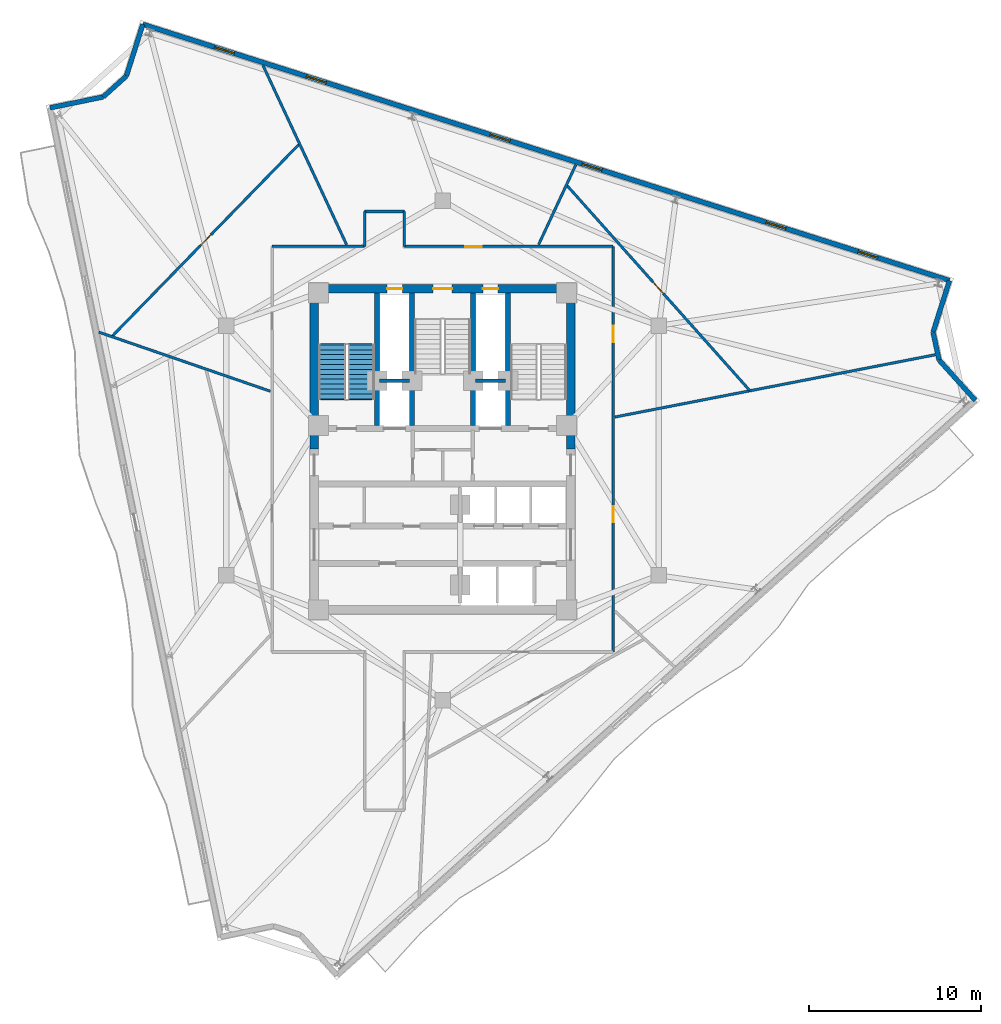
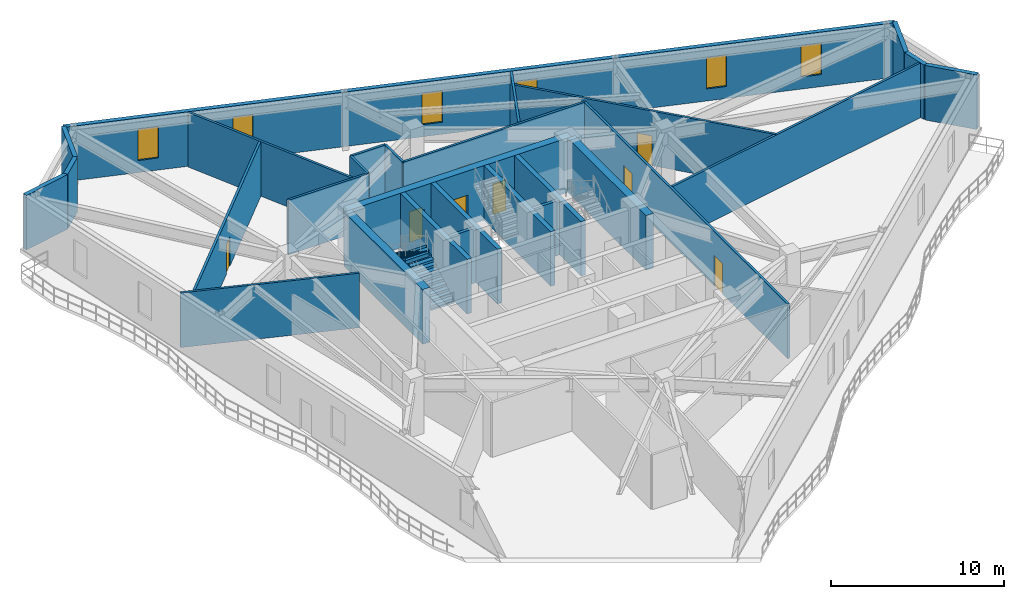
# One storey, part 7 of 11: 28 walls, 8 doors, 6 windows, 2 stair flights, 14 openings, 1 element without a shape of its own.
"""IFC4 building model written with IfcOpenShell, lengths in metres."""

from ifc_helpers import new_model, si_unit, direction, frame, frame_2d, origin, place, context, subcontext, project, spatial, polyline, rectangle, outline, extrude, material, layer, layer_set, type_object, element, fill, aggregate, save


model = new_model("IFC4")

# Units and contexts
model_context = context("Model", 3, precision=1e-05, world=origin(), true_north=direction((0.0, 1.0)))
body_context = subcontext(model_context, "Body", "Model", "MODEL_VIEW")
ifc_project = project(units=[si_unit("LENGTHUNIT", "METRE"), si_unit("AREAUNIT", "SQUARE_METRE"), si_unit("VOLUMEUNIT", "CUBIC_METRE"), si_unit("PLANEANGLEUNIT", "RADIAN"), si_unit("MASSUNIT", "GRAM", prefix="KILO")], contexts=[model_context])

# Site, building, storey
site_placement = place(None, origin())
site = spatial("IfcSite", under=ifc_project, at=site_placement, CompositionType="ELEMENT")
building_placement = place(site_placement, origin())
building = spatial("IfcBuilding", under=site, at=building_placement, Name="Apsidion Concourse Tower", CompositionType="ELEMENT")
storey_placement = place(building_placement, frame((0.0, 0.0, 244.5)))
storey = spatial("IfcBuildingStorey", under=building, at=storey_placement, Name="L57", CompositionType="ELEMENT", Elevation=244.5)

# Wall, openings, windows
ifc_material_1 = material(Name="Precast concrete C40/50", Category="concrete")
ifc_layer_1 = layer(ifc_material_1, 0.280029296875)
ifc_layer_set_1 = layer_set([ifc_layer_1], Name="Precast concrete C40/50")
wall_type_1 = type_object("IfcWallType", Name="WL-EXT-280", PredefinedType="STANDARD", material=ifc_layer_set_1)
wall_1_placement = place(storey_placement, frame((-17.4072265625, 24.74755859375, 0.0), z_axis=(0.0, 0.0, 1.0), x_axis=(0.953082756031, -0.302709861346, 0.0)))
wall_1 = element("IfcWall", 1, at=wall_1_placement, inside=storey, type_object=wall_type_1, Name="L57 Precast Stone Facade Wall 01", PredefinedType="STANDARD", context=body_context, shape_type="SweptSolid", body=[
    extrude(rectangle(XDim=49.14501953125, YDim=0.280029296875, at=frame_2d((24.572509765625, 0.0))), origin(), (0.0, 0.0, 1.0), 3.85009765625),
])
opening_1_placement = place(wall_1_placement, frame((4.37255859375, 0.0, 0.85009765625)))
opening_1 = element("IfcOpeningElement", 2, at=opening_1_placement, cuts=wall_1, Name="Opening WN-06", PredefinedType="OPENING", context=body_context, shape_type="SweptSolid", body=[
    extrude(rectangle(XDim=1.199951171875, YDim=2.199951171875, at=frame_2d((0.60009765625, 1.10009765625))), frame((0.0, 0.14990234375, 0.0), z_axis=(0.0, -1.0, 0.0), x_axis=(1.0, 0.0, 0.0)), (0.0, 0.0, 1.0), 0.300048828125),
])
opening_2_placement = place(wall_1_placement, frame((9.97265625, 0.0, 0.85009765625)))
opening_2 = element("IfcOpeningElement", 3, at=opening_2_placement, cuts=wall_1, Name="Opening WN-06", PredefinedType="OPENING", context=body_context, shape_type="SweptSolid", body=[
    extrude(rectangle(XDim=1.199951171875, YDim=2.199951171875, at=frame_2d((0.60009765625, 1.10009765625))), frame((0.0, 0.14990234375, 0.0), z_axis=(0.0, -1.0, 0.0), x_axis=(1.0, 0.0, 0.0)), (0.0, 0.0, 1.0), 0.300048828125),
])
opening_3_placement = place(wall_1_placement, frame((21.172607421875, 0.0, 0.85009765625)))
opening_3 = element("IfcOpeningElement", 4, at=opening_3_placement, cuts=wall_1, Name="Opening WN-06", PredefinedType="OPENING", context=body_context, shape_type="SweptSolid", body=[
    extrude(rectangle(XDim=1.199951171875, YDim=2.199951171875, at=frame_2d((0.60009765625, 1.10009765625))), frame((0.0, 0.14990234375, 0.0), z_axis=(0.0, -1.0, 0.0), x_axis=(1.0, 0.0, 0.0)), (0.0, 0.0, 1.0), 0.300048828125),
])
opening_4_placement = place(wall_1_placement, frame((26.772705078125, 0.0, 0.85009765625)))
opening_4 = element("IfcOpeningElement", 5, at=opening_4_placement, cuts=wall_1, Name="Opening WN-06", PredefinedType="OPENING", context=body_context, shape_type="SweptSolid", body=[
    extrude(rectangle(XDim=1.199951171875, YDim=2.199951171875, at=frame_2d((0.60009765625, 1.10009765625))), frame((0.0, 0.14990234375, 0.0), z_axis=(0.0, -1.0, 0.0), x_axis=(1.0, 0.0, 0.0)), (0.0, 0.0, 1.0), 0.300048828125),
])
opening_5_placement = place(wall_1_placement, frame((37.97265625, 0.0, 0.85009765625)))
opening_5 = element("IfcOpeningElement", 6, at=opening_5_placement, cuts=wall_1, Name="Opening WN-06", PredefinedType="OPENING", context=body_context, shape_type="SweptSolid", body=[
    extrude(rectangle(XDim=1.199951171875, YDim=2.199951171875, at=frame_2d((0.60009765625, 1.10009765625))), frame((0.0, 0.14990234375, 0.0), z_axis=(0.0, -1.0, 0.0), x_axis=(1.0, 0.0, 0.0)), (0.0, 0.0, 1.0), 0.300048828125),
])
opening_6_placement = place(wall_1_placement, frame((43.572509765625, 0.0, 0.85009765625)))
opening_6 = element("IfcOpeningElement", 7, at=opening_6_placement, cuts=wall_1, Name="Opening WN-06", PredefinedType="OPENING", context=body_context, shape_type="SweptSolid", body=[
    extrude(rectangle(XDim=1.199951171875, YDim=2.199951171875, at=frame_2d((0.60009765625, 1.10009765625))), frame((0.0, 0.14990234375, 0.0), z_axis=(0.0, -1.0, 0.0), x_axis=(1.0, 0.0, 0.0)), (0.0, 0.0, 1.0), 0.300048828125),
])
ifc_material_2 = material(Name="Insulated laminated low-E glass", Category="glass")
window_type = type_object("IfcWindowType", Name="WN-OFF-1224", PartitioningType="SINGLE_PANEL", PredefinedType="WINDOW", material=ifc_material_2)
window_1_placement = place(opening_1_placement, origin())
window_1 = element("IfcWindow", 8, at=window_1_placement, inside=storey, type_object=window_type, Name="L57 Punched Facade Window 1-01", OverallHeight=2.199951171875, OverallWidth=1.199951171875, PartitioningType="SINGLE_PANEL", PredefinedType="WINDOW", context=body_context, shape_type="SweptSolid", body=[
    extrude(rectangle(XDim=1.199951171875, YDim=2.199951171875, at=frame_2d((0.60009765625, 1.10009765625))), frame((0.0, 0.030029296875, 0.0), z_axis=(0.0, -1.0, 0.0), x_axis=(1.0, 0.0, 0.0)), (0.0, 0.0, 1.0), 0.06005859375),
])
fill(opening_1, window_1)
window_2_placement = place(opening_2_placement, origin())
window_2 = element("IfcWindow", 9, at=window_2_placement, inside=storey, type_object=window_type, Name="L57 Punched Facade Window 1-02", OverallHeight=2.199951171875, OverallWidth=1.199951171875, PartitioningType="SINGLE_PANEL", PredefinedType="WINDOW", context=body_context, shape_type="SweptSolid", body=[
    extrude(rectangle(XDim=1.199951171875, YDim=2.199951171875, at=frame_2d((0.60009765625, 1.10009765625))), frame((0.0, 0.030029296875, 0.0), z_axis=(0.0, -1.0, 0.0), x_axis=(1.0, 0.0, 0.0)), (0.0, 0.0, 1.0), 0.06005859375),
])
fill(opening_2, window_2)
window_3_placement = place(opening_3_placement, origin())
window_3 = element("IfcWindow", 10, at=window_3_placement, inside=storey, type_object=window_type, Name="L57 Punched Facade Window 1-04", OverallHeight=2.199951171875, OverallWidth=1.199951171875, PartitioningType="SINGLE_PANEL", PredefinedType="WINDOW", context=body_context, shape_type="SweptSolid", body=[
    extrude(rectangle(XDim=1.199951171875, YDim=2.199951171875, at=frame_2d((0.60009765625, 1.10009765625))), frame((0.0, 0.030029296875, 0.0), z_axis=(0.0, -1.0, 0.0), x_axis=(1.0, 0.0, 0.0)), (0.0, 0.0, 1.0), 0.06005859375),
])
fill(opening_3, window_3)
window_4_placement = place(opening_4_placement, origin())
window_4 = element("IfcWindow", 11, at=window_4_placement, inside=storey, type_object=window_type, Name="L57 Punched Facade Window 1-05", OverallHeight=2.199951171875, OverallWidth=1.199951171875, PartitioningType="SINGLE_PANEL", PredefinedType="WINDOW", context=body_context, shape_type="SweptSolid", body=[
    extrude(rectangle(XDim=1.199951171875, YDim=2.199951171875, at=frame_2d((0.60009765625, 1.10009765625))), frame((0.0, 0.030029296875, 0.0), z_axis=(0.0, -1.0, 0.0), x_axis=(1.0, 0.0, 0.0)), (0.0, 0.0, 1.0), 0.06005859375),
])
fill(opening_4, window_4)
window_5_placement = place(opening_5_placement, origin())
window_5 = element("IfcWindow", 12, at=window_5_placement, inside=storey, type_object=window_type, Name="L57 Punched Facade Window 1-07", OverallHeight=2.199951171875, OverallWidth=1.199951171875, PartitioningType="SINGLE_PANEL", PredefinedType="WINDOW", context=body_context, shape_type="SweptSolid", body=[
    extrude(rectangle(XDim=1.199951171875, YDim=2.199951171875, at=frame_2d((0.60009765625, 1.10009765625))), frame((0.0, 0.030029296875, 0.0), z_axis=(0.0, -1.0, 0.0), x_axis=(1.0, 0.0, 0.0)), (0.0, 0.0, 1.0), 0.06005859375),
])
fill(opening_5, window_5)
window_6_placement = place(opening_6_placement, origin())
window_6 = element("IfcWindow", 13, at=window_6_placement, inside=storey, type_object=window_type, Name="L57 Punched Facade Window 1-08", OverallHeight=2.199951171875, OverallWidth=1.199951171875, PartitioningType="SINGLE_PANEL", PredefinedType="WINDOW", context=body_context, shape_type="SweptSolid", body=[
    extrude(rectangle(XDim=1.199951171875, YDim=2.199951171875, at=frame_2d((0.60009765625, 1.10009765625))), frame((0.0, 0.030029296875, 0.0), z_axis=(0.0, -1.0, 0.0), x_axis=(1.0, 0.0, 0.0)), (0.0, 0.0, 1.0), 0.06005859375),
])
fill(opening_6, window_6)

# Walls
wall_2_placement = place(storey_placement, frame((29.43212890625, 9.870849609375, 0.0), z_axis=(0.0, 0.0, 1.0), x_axis=(-0.30264059672, -0.953104752489, 0.0)))
element("IfcWall", 14, at=wall_2_placement, inside=storey, type_object=wall_type_1, Name="L57 Precast Stone Facade Wall 02", PredefinedType="STANDARD", context=body_context, shape_type="SweptSolid", body=[
    extrude(rectangle(XDim=3.150146484375, YDim=0.280029296875, at=frame_2d((1.5751953125, 0.0))), origin(), (0.0, 0.0, 1.0), 3.85009765625),
])
wall_3_placement = place(storey_placement, frame((28.478759765625, 6.868408203125, 0.0), z_axis=(0.0, 0.0, 1.0), x_axis=(0.211126358094, -0.977458777094, 0.0)))
element("IfcWall", 15, at=wall_3_placement, inside=storey, type_object=wall_type_1, Name="L57 Precast Stone Facade Wall 03", PredefinedType="STANDARD", context=body_context, shape_type="SweptSolid", body=[
    extrude(rectangle(XDim=1.64892578125, YDim=0.280029296875, at=frame_2d((0.824462890625, 0.0))), origin(), (0.0, 0.0, 1.0), 3.85009765625),
])
wall_4_placement = place(storey_placement, frame((28.826904296875, 5.256591796875, 0.0), z_axis=(0.0, 0.0, 1.0), x_axis=(0.669127439782, -0.743147676663, 0.0)))
element("IfcWall", 16, at=wall_4_placement, inside=storey, type_object=wall_type_1, Name="L57 Precast Stone Facade Wall 04", PredefinedType="STANDARD", context=body_context, shape_type="SweptSolid", body=[
    extrude(rectangle(XDim=3.14990234375, YDim=0.280029296875, at=frame_2d((1.574951171875, 0.0))), origin(), (0.0, 0.0, 1.0), 3.85009765625),
])
wall_5_placement = place(storey_placement, frame((-22.79248046875, 19.898681640625, 0.0), z_axis=(0.0, 0.0, 1.0), x_axis=(0.979502474011, 0.201432131016, 0.0)))
element("IfcWall", 17, at=wall_5_placement, inside=storey, type_object=wall_type_1, Name="L57 Precast Stone Facade Wall 10", PredefinedType="STANDARD", context=body_context, shape_type="SweptSolid", body=[
    extrude(rectangle(XDim=3.1513671875, YDim=0.280029296875, at=frame_2d((1.57568359375, 0.0))), origin(), (0.0, 0.0, 1.0), 3.85009765625),
])
wall_6_placement = place(storey_placement, frame((-19.705810546875, 20.533447265625, 0.0), z_axis=(0.0, 0.0, 1.0), x_axis=(0.743173371482, 0.669098901449, 0.0)))
element("IfcWall", 18, at=wall_6_placement, inside=storey, type_object=wall_type_1, Name="L57 Precast Stone Facade Wall 11", PredefinedType="STANDARD", context=body_context, shape_type="SweptSolid", body=[
    extrude(rectangle(XDim=1.809326171875, YDim=0.280029296875, at=frame_2d((0.90478515625, 0.0))), origin(), (0.0, 0.0, 1.0), 3.85009765625),
])
wall_7_placement = place(storey_placement, frame((-18.361083984375, 21.744140625, 0.0), z_axis=(0.0, 0.0, 1.0), x_axis=(0.302691963624, 0.953088440365, 0.0)))
element("IfcWall", 19, at=wall_7_placement, inside=storey, type_object=wall_type_1, Name="L57 Precast Stone Facade Wall 12", PredefinedType="STANDARD", context=body_context, shape_type="SweptSolid", body=[
    extrude(rectangle(XDim=3.1513671875, YDim=0.280029296875, at=frame_2d((1.57568359375, 0.0))), origin(), (0.0, 0.0, 1.0), 3.85009765625),
])
ifc_material_3 = material(Name="Gypsum plasterboard partition")
ifc_layer_2 = layer(ifc_material_3, 0.14990234375)
ifc_layer_set_2 = layer_set([ifc_layer_2], Name="Gypsum plasterboard partition")
wall_type_2 = type_object("IfcWallType", Name="WL-INT-PAR-150", PredefinedType="PARTITIONING", material=ifc_layer_set_2)
wall_8_placement = place(storey_placement, frame((-9.89990234375, 11.85009765625, 0.0), z_axis=(0.0, 0.0, 1.0), x_axis=(1.0, 0.0, 0.0)))
element("IfcWall", 20, at=wall_8_placement, inside=storey, type_object=wall_type_2, Name="L57 Interior Partition WL-L57-CORR-03", PredefinedType="PARTITIONING", context=body_context, shape_type="SweptSolid", body=[
    extrude(rectangle(XDim=5.369873046875, YDim=0.14990234375, at=frame_2d((2.68505859375, 0.0))), origin(), (0.0, 0.0, 1.0), 3.85009765625),
])
wall_9_placement = place(storey_placement, frame((-4.530029296875, 11.85009765625, 0.0), z_axis=(0.0, 0.0, 1.0), x_axis=(0.0, 1.0, 0.0)))
element("IfcWall", 21, at=wall_9_placement, inside=storey, type_object=wall_type_2, Name="L57 Interior Partition WL-L57-CORR-04", PredefinedType="PARTITIONING", context=body_context, shape_type="SweptSolid", body=[
    extrude(rectangle(XDim=2.02978515625, YDim=0.14990234375, at=frame_2d((1.014892578125, 0.0))), origin(), (0.0, 0.0, 1.0), 3.85009765625),
])
wall_10_placement = place(storey_placement, frame((-4.530029296875, 13.8798828125, 0.0), z_axis=(0.0, 0.0, 1.0), x_axis=(1.0, 0.0, 0.0)))
element("IfcWall", 22, at=wall_10_placement, inside=storey, type_object=wall_type_2, Name="L57 Interior Partition WL-L57-CORR-05", PredefinedType="PARTITIONING", context=body_context, shape_type="SweptSolid", body=[
    extrude(rectangle(XDim=2.31005859375, YDim=0.14990234375, at=frame_2d((1.155029296875, 0.0))), origin(), (0.0, 0.0, 1.0), 3.85009765625),
])
wall_11_placement = place(storey_placement, frame((-2.219970703125, 13.8798828125, 0.0), z_axis=(0.0, 0.0, 1.0), x_axis=(0.0, -1.0, 0.0)))
element("IfcWall", 23, at=wall_11_placement, inside=storey, type_object=wall_type_2, Name="L57 Interior Partition WL-L57-CORR-06", PredefinedType="PARTITIONING", context=body_context, shape_type="SweptSolid", body=[
    extrude(rectangle(XDim=2.02978515625, YDim=0.14990234375, at=frame_2d((1.014892578125, 0.0))), origin(), (0.0, 0.0, 1.0), 3.85009765625),
])

# Wall, opening, door
wall_12_placement = place(storey_placement, frame((-2.219970703125, 11.85009765625, 0.0), z_axis=(0.0, 0.0, 1.0), x_axis=(1.0, 0.0, 0.0)))
wall_12 = element("IfcWall", 24, at=wall_12_placement, inside=storey, type_object=wall_type_2, Name="L57 Interior Partition WL-L57-CORR-07", PredefinedType="PARTITIONING", context=body_context, shape_type="SweptSolid", body=[
    extrude(rectangle(XDim=12.119873046875, YDim=0.14990234375, at=frame_2d((6.06005859375, 0.0))), origin(), (0.0, 0.0, 1.0), 3.85009765625),
])
opening_7_placement = place(wall_12_placement, frame((3.5439453125, 0.0, 0.0)))
opening_7 = element("IfcOpeningElement", 25, at=opening_7_placement, cuts=wall_12, Name="Opening D-01R", PredefinedType="OPENING", context=body_context, shape_type="SweptSolid", body=[
    extrude(rectangle(XDim=0.949951171875, YDim=2.14990234375, at=frame_2d((0.47509765625, 1.074951171875))), frame((0.0, 0.0849609375, 0.0), z_axis=(0.0, -1.0, 0.0), x_axis=(1.0, 0.0, 0.0)), (0.0, 0.0, 1.0), 0.169921875),
])
ifc_material_4 = material(Name="Brushed stainless steel 316", Category="steel")
door_type_1 = type_object("IfcDoorType", Name="DR-INT-D01R", OperationType="SINGLE_SWING_RIGHT", PredefinedType="DOOR", material=ifc_material_4)
door_1_placement = place(opening_7_placement, origin())
door_1 = element("IfcDoor", 26, at=door_1_placement, inside=storey, type_object=door_type_1, Name="L57 Corridor Entry Door 06", OperationType="SINGLE_SWING_RIGHT", OverallHeight=2.14990234375, OverallWidth=0.949951171875, PredefinedType="DOOR", context=body_context, shape_type="SweptSolid", body=[
    extrude(rectangle(XDim=0.949951171875, YDim=2.14990234375, at=frame_2d((0.47509765625, 1.074951171875))), frame((0.0, 0.02490234375, 0.0), z_axis=(0.0, -1.0, 0.0), x_axis=(1.0, 0.0, 0.0)), (0.0, 0.0, 1.0), 0.050048828125),
])
fill(opening_7, door_1)

# Wall, openings, doors
wall_13_placement = place(storey_placement, frame((9.89990234375, 11.85009765625, 0.0), z_axis=(0.0, 0.0, 1.0), x_axis=(0.0, -1.0, 0.0)))
wall_13 = element("IfcWall", 27, at=wall_13_placement, inside=storey, type_object=wall_type_2, Name="L57 Interior Partition WL-L57-CORR-08", PredefinedType="PARTITIONING", context=body_context, shape_type="SweptSolid", body=[
    extrude(rectangle(XDim=23.550048828125, YDim=0.14990234375, at=frame_2d((11.77490234375, 0.0))), origin(), (0.0, 0.0, 1.0), 3.85009765625),
])
opening_8_placement = place(wall_13_placement, frame((15.0751953125, 0.0, 0.0)))
opening_8 = element("IfcOpeningElement", 28, at=opening_8_placement, cuts=wall_13, Name="Opening D-01R", PredefinedType="OPENING", context=body_context, shape_type="SweptSolid", body=[
    extrude(rectangle(XDim=0.949951171875, YDim=2.14990234375, at=frame_2d((0.47509765625, 1.074951171875))), frame((0.0, 0.0849609375, 0.0), z_axis=(0.0, -1.0, 0.0), x_axis=(1.0, 0.0, 0.0)), (0.0, 0.0, 1.0), 0.169921875),
])
opening_9_placement = place(wall_13_placement, frame((4.607177734375, 0.0, 0.0)))
opening_9 = element("IfcOpeningElement", 29, at=opening_9_placement, cuts=wall_13, Name="Opening D-01L", PredefinedType="OPENING", context=body_context, shape_type="SweptSolid", body=[
    extrude(rectangle(XDim=0.949951171875, YDim=2.14990234375, at=frame_2d((0.47509765625, 1.074951171875))), frame((0.0, 0.0849609375, 0.0), z_axis=(0.0, -1.0, 0.0), x_axis=(1.0, 0.0, 0.0)), (0.0, 0.0, 1.0), 0.169921875),
])
door_type_2 = type_object("IfcDoorType", Name="DR-INT-D01L", OperationType="SINGLE_SWING_LEFT", PredefinedType="DOOR", material=ifc_material_4)
door_2_placement = place(opening_9_placement, origin())
door_2 = element("IfcDoor", 30, at=door_2_placement, inside=storey, type_object=door_type_2, Name="L57 Corridor Entry Door 05", OperationType="SINGLE_SWING_LEFT", OverallHeight=2.14990234375, OverallWidth=0.949951171875, PredefinedType="DOOR", context=body_context, shape_type="SweptSolid", body=[
    extrude(rectangle(XDim=0.949951171875, YDim=2.14990234375, at=frame_2d((0.47509765625, 1.074951171875))), frame((0.0, 0.02490234375, 0.0), z_axis=(0.0, -1.0, 0.0), x_axis=(1.0, 0.0, 0.0)), (0.0, 0.0, 1.0), 0.050048828125),
])
fill(opening_9, door_2)
door_3_placement = place(opening_8_placement, origin())
door_3 = element("IfcDoor", 31, at=door_3_placement, inside=storey, type_object=door_type_1, Name="L57 Corridor Entry Door 04", OperationType="SINGLE_SWING_RIGHT", OverallHeight=2.14990234375, OverallWidth=0.949951171875, PredefinedType="DOOR", context=body_context, shape_type="SweptSolid", body=[
    extrude(rectangle(XDim=0.949951171875, YDim=2.14990234375, at=frame_2d((0.47509765625, 1.074951171875))), frame((0.0, 0.02490234375, 0.0), z_axis=(0.0, -1.0, 0.0), x_axis=(1.0, 0.0, 0.0)), (0.0, 0.0, 1.0), 0.050048828125),
])
fill(opening_8, door_3)

# Walls
wall_14_placement = place(storey_placement, frame((10.0048828125, 1.94482421875, 0.0), z_axis=(0.0, 0.0, 1.0), x_axis=(0.981627928787, 0.190805160896, 0.0)))
element("IfcWall", 32, at=wall_14_placement, inside=storey, type_object=wall_type_2, Name="L57 Interior Partition WL-L57-RAD-01-1", PredefinedType="PARTITIONING", context=body_context, shape_type="SweptSolid", body=[
    extrude(rectangle(XDim=18.946044921875, YDim=0.14990234375, at=frame_2d((9.47314453125, 0.0))), origin(), (0.0, 0.0, 1.0), 3.85009765625),
])
wall_15_placement = place(storey_placement, frame((5.57470703125, 11.955078125, 0.0), z_axis=(0.0, 0.0, 1.0), x_axis=(0.422627158144, 0.906303638523, 0.0)))
element("IfcWall", 33, at=wall_15_placement, inside=storey, type_object=wall_type_2, Name="L57 Interior Partition WL-L57-RAD-02-1", PredefinedType="PARTITIONING", context=body_context, shape_type="SweptSolid", body=[
    extrude(rectangle(XDim=5.122802734375, YDim=0.14990234375, at=frame_2d((2.5615234375, 0.0))), origin(), (0.0, 0.0, 1.0), 3.85009765625),
])
wall_16_placement = place(storey_placement, frame((-5.57470703125, 11.955078125, 0.0), z_axis=(0.0, 0.0, 1.0), x_axis=(-0.422621412421, 0.906306317844, 0.0)))
element("IfcWall", 34, at=wall_16_placement, inside=storey, type_object=wall_type_2, Name="L57 Interior Partition WL-L57-RAD-03-1", PredefinedType="PARTITIONING", context=body_context, shape_type="SweptSolid", body=[
    extrude(rectangle(XDim=11.49072265625, YDim=0.14990234375, at=frame_2d((5.745361328125, 0.0))), origin(), (0.0, 0.0, 1.0), 3.85009765625),
])
wall_17_placement = place(storey_placement, frame((-10.0048828125, 3.445068359375, 0.0), z_axis=(0.0, 0.0, 1.0), x_axis=(-0.94552154792, 0.325559522082, 0.0)))
element("IfcWall", 35, at=wall_17_placement, inside=storey, type_object=wall_type_2, Name="L57 Interior Partition WL-L57-RAD-04-1", PredefinedType="PARTITIONING", context=body_context, shape_type="SweptSolid", body=[
    extrude(rectangle(XDim=10.5234375, YDim=0.14990234375, at=frame_2d((5.26171875, 0.0))), origin(), (0.0, 0.0, 1.0), 3.85009765625),
])

# Wall, opening, door
wall_18_placement = place(storey_placement, frame((17.830322265625, 3.4912109375, 0.0), z_axis=(0.0, 0.0, 1.0), x_axis=(-0.665420932844, 0.746468339672, 0.0)))
wall_18 = element("IfcWall", 36, at=wall_18_placement, inside=storey, type_object=wall_type_2, Name="L57 Interior Partition WL-L57-CHD-OFS04", PredefinedType="PARTITIONING", context=body_context, shape_type="SweptSolid", body=[
    extrude(rectangle(XDim=15.959228515625, YDim=0.14990234375, at=frame_2d((7.9794921875, 0.0))), origin(), (0.0, 0.0, 1.0), 3.85009765625),
])
opening_10_placement = place(wall_18_placement, frame((7.529541015625, 0.0, 0.0)))
opening_10 = element("IfcOpeningElement", 37, at=opening_10_placement, cuts=wall_18, Name="Opening D-02L", PredefinedType="OPENING", context=body_context, shape_type="SweptSolid", body=[
    extrude(rectangle(XDim=0.89990234375, YDim=2.10009765625, at=frame_2d((0.449951171875, 1.050048828125))), frame((0.0, 0.0849609375, 0.0), z_axis=(0.0, -1.0, 0.0), x_axis=(1.0, 0.0, 0.0)), (0.0, 0.0, 1.0), 0.169921875),
])
ifc_material_5 = material(Name="Anodised aluminium EN AW-6063 T6", Category="aluminium")
door_type_3 = type_object("IfcDoorType", Name="DR-INT-D02L", OperationType="SINGLE_SWING_LEFT", PredefinedType="DOOR", material=ifc_material_5)
door_4_placement = place(opening_10_placement, origin())
door_4 = element("IfcDoor", 38, at=door_4_placement, inside=storey, type_object=door_type_3, Name="L57 Suite Connecting Door OFS04", OperationType="SINGLE_SWING_LEFT", OverallHeight=2.10009765625, OverallWidth=0.89990234375, PredefinedType="DOOR", context=body_context, shape_type="SweptSolid", body=[
    extrude(rectangle(XDim=0.89990234375, YDim=2.10009765625, at=frame_2d((0.449951171875, 1.050048828125))), frame((0.0, 0.02490234375, 0.0), z_axis=(0.0, -1.0, 0.0), x_axis=(1.0, 0.0, 0.0)), (0.0, 0.0, 1.0), 0.050048828125),
])
fill(opening_10, door_4)

wall_19_placement = place(storey_placement, frame((-8.32421875, 17.7919921875, 0.0), z_axis=(0.0, 0.0, 1.0), x_axis=(-0.697638705939, -0.716449744208, 0.0)))
wall_19 = element("IfcWall", 39, at=wall_19_placement, inside=storey, type_object=wall_type_2, Name="L57 Interior Partition WL-L57-CHD-OFS06", PredefinedType="PARTITIONING", context=body_context, shape_type="SweptSolid", body=[
    extrude(rectangle(XDim=15.57421875, YDim=0.14990234375, at=frame_2d((7.787109375, 0.0))), origin(), (0.0, 0.0, 1.0), 3.85009765625),
])
opening_11_placement = place(wall_19_placement, frame((7.337158203125, 0.0, 0.0)))
opening_11 = element("IfcOpeningElement", 40, at=opening_11_placement, cuts=wall_19, Name="Opening D-02L", PredefinedType="OPENING", context=body_context, shape_type="SweptSolid", body=[
    extrude(rectangle(XDim=0.89990234375, YDim=2.10009765625, at=frame_2d((0.449951171875, 1.050048828125))), frame((0.0, 0.0849609375, 0.0), z_axis=(0.0, -1.0, 0.0), x_axis=(1.0, 0.0, 0.0)), (0.0, 0.0, 1.0), 0.169921875),
])
door_5_placement = place(opening_11_placement, origin())
door_5 = element("IfcDoor", 41, at=door_5_placement, inside=storey, type_object=door_type_3, Name="L57 Suite Connecting Door OFS06", OperationType="SINGLE_SWING_LEFT", OverallHeight=2.10009765625, OverallWidth=0.89990234375, PredefinedType="DOOR", context=body_context, shape_type="SweptSolid", body=[
    extrude(rectangle(XDim=0.89990234375, YDim=2.10009765625, at=frame_2d((0.449951171875, 1.050048828125))), frame((0.0, 0.02490234375, 0.0), z_axis=(0.0, -1.0, 0.0), x_axis=(1.0, 0.0, 0.0)), (0.0, 0.0, 1.0), 0.050048828125),
])
fill(opening_11, door_5)

# Walls
ifc_layer_3 = layer(ifc_material_3, 0.199951171875)
ifc_layer_set_3 = layer_set([ifc_layer_3], Name="Gypsum plasterboard partition")
wall_type_3 = type_object("IfcWallType", Name="WL-INT-PAR-200", PredefinedType="PARTITIONING", material=ifc_layer_set_3)
for number, where, z_axis, x_axis, name in (
    (42, (-3.64990234375, 4.050048828125, 0.0), (0.0, 0.0, 1.0), (1.0, 0.0, 0.0), "L57 Interior Partition WL-L57-FF1-N"),
    (43, (1.919921875, 4.050048828125, 0.0), (0.0, 0.0, 1.0), (1.0, 0.0, 0.0), "L57 Interior Partition WL-L57-FF2-N"),
):
    element("IfcWall", number, at=place(storey_placement, frame(where, z_axis=z_axis, x_axis=x_axis)), inside=storey, type_object=wall_type_3, Name=name, PredefinedType="PARTITIONING", context=body_context, shape_type="SweptSolid", body=[
        extrude(rectangle(XDim=1.72998046875, YDim=0.199951171875, at=frame_2d((0.864990234375, 0.0))), origin(), (0.0, 0.0, 1.0), 3.85009765625),
    ])
ifc_material_6 = material(Name="Concrete C50/60", Category="concrete")
ifc_layer_4 = layer(ifc_material_6, 0.300048828125)
ifc_layer_set_4 = layer_set([ifc_layer_4], Name="Concrete C50/60")
wall_type_4 = type_object("IfcWallType", Name="WL-SH-300", PredefinedType="SHEAR", material=ifc_layer_set_4)
for number, where, z_axis, x_axis, name in (
    (44, (-3.800048828125, 1.449951171875, 0.0), (0.0, 0.0, 1.0), (0.0, 1.0, 0.0), "L57 Central Core Shear Wall V1"),
    (45, (-1.77490234375, 1.449951171875, 0.0), (0.0, 0.0, 1.0), (0.0, 1.0, 0.0), "L57 Central Core Shear Wall V2"),
    (46, (1.77490234375, 1.449951171875, 0.0), (0.0, 0.0, 1.0), (0.0, 1.0, 0.0), "L57 Central Core Shear Wall V3"),
    (47, (3.800048828125, 1.449951171875, 0.0), (0.0, 0.0, 1.0), (0.0, 1.0, 0.0), "L57 Central Core Shear Wall V4"),
):
    element("IfcWall", number, at=place(storey_placement, frame(where, z_axis=z_axis, x_axis=x_axis)), inside=storey, type_object=wall_type_4, Name=name, PredefinedType="SHEAR", context=body_context, shape_type="SweptSolid", body=[
        extrude(rectangle(XDim=7.699951171875, YDim=0.300048828125, at=frame_2d((3.85009765625, 0.0))), origin(), (0.0, 0.0, 1.0), 3.85009765625),
    ])

# Wall, openings, doors
ifc_layer_5 = layer(ifc_material_6, 0.5)
ifc_layer_set_5 = layer_set([ifc_layer_5], Name="Concrete C50/60")
wall_type_5 = type_object("IfcWallType", Name="WL-SH-500", PredefinedType="SHEAR", material=ifc_layer_set_5)
wall_20_placement = place(storey_placement, frame((-7.449951171875, 9.39990234375, 0.0), z_axis=(0.0, 0.0, 1.0), x_axis=(1.0, 0.0, 0.0)))
wall_20 = element("IfcWall", 48, at=wall_20_placement, inside=storey, type_object=wall_type_5, Name="L57 Central Core Shear Wall N", PredefinedType="SHEAR", context=body_context, shape_type="SweptSolid", body=[
    extrude(rectangle(XDim=14.89990234375, YDim=0.5, at=frame_2d((7.449951171875, 0.0))), origin(), (0.0, 0.0, 1.0), 3.85009765625),
])
opening_12_placement = place(wall_20_placement, frame((6.89990234375, 0.0, 0.0)))
opening_12 = element("IfcOpeningElement", 49, at=opening_12_placement, cuts=wall_20, Name="Opening D-STL", PredefinedType="OPENING", context=body_context, shape_type="SweptSolid", body=[
    extrude(rectangle(XDim=1.10009765625, YDim=2.14990234375, at=frame_2d((0.550048828125, 1.074951171875))), frame((0.0, 0.260009765625, 0.0), z_axis=(0.0, -1.0, 0.0), x_axis=(1.0, 0.0, 0.0)), (0.0, 0.0, 1.0), 0.52001953125),
])
opening_13_placement = place(wall_20_placement, frame((4.22998046875, 0.0, 0.0)))
opening_13 = element("IfcOpeningElement", 50, at=opening_13_placement, cuts=wall_20, Name="Opening D-05L", PredefinedType="OPENING", context=body_context, shape_type="SweptSolid", body=[
    extrude(rectangle(XDim=0.8798828125, YDim=2.14990234375, at=frame_2d((0.43994140625, 1.074951171875))), frame((0.0, 0.260009765625, 0.0), z_axis=(0.0, -1.0, 0.0), x_axis=(1.0, 0.0, 0.0)), (0.0, 0.0, 1.0), 0.52001953125),
])
opening_14_placement = place(wall_20_placement, frame((9.7900390625, 0.0, 0.0)))
opening_14 = element("IfcOpeningElement", 51, at=opening_14_placement, cuts=wall_20, Name="Opening D-05R", PredefinedType="OPENING", context=body_context, shape_type="SweptSolid", body=[
    extrude(rectangle(XDim=0.8798828125, YDim=2.14990234375, at=frame_2d((0.43994140625, 1.074951171875))), frame((0.0, 0.260009765625, 0.0), z_axis=(0.0, -1.0, 0.0), x_axis=(1.0, 0.0, 0.0)), (0.0, 0.0, 1.0), 0.52001953125),
])
door_type_4 = type_object("IfcDoorType", Name="DR-INT-D05L", OperationType="SINGLE_SWING_LEFT", PredefinedType="DOOR", material=ifc_material_4)
door_6_placement = place(opening_13_placement, origin())
door_6 = element("IfcDoor", 52, at=door_6_placement, inside=storey, type_object=door_type_4, Name="L57 Electrical Riser Shaft Access Door", OperationType="SINGLE_SWING_LEFT", OverallHeight=2.14990234375, OverallWidth=0.8798828125, PredefinedType="DOOR", context=body_context, shape_type="SweptSolid", body=[
    extrude(rectangle(XDim=0.8798828125, YDim=2.14990234375, at=frame_2d((0.43994140625, 1.074951171875))), frame((0.0, 0.02490234375, 0.0), z_axis=(0.0, -1.0, 0.0), x_axis=(1.0, 0.0, 0.0)), (0.0, 0.0, 1.0), 0.050048828125),
])
fill(opening_13, door_6)
door_type_5 = type_object("IfcDoorType", Name="DR-INT-D05R", OperationType="SINGLE_SWING_RIGHT", PredefinedType="DOOR", material=ifc_material_4)
door_7_placement = place(opening_14_placement, origin())
door_7 = element("IfcDoor", 53, at=door_7_placement, inside=storey, type_object=door_type_5, Name="L57 Mechanical Riser Shaft Access Door", OperationType="SINGLE_SWING_RIGHT", OverallHeight=2.14990234375, OverallWidth=0.8798828125, PredefinedType="DOOR", context=body_context, shape_type="SweptSolid", body=[
    extrude(rectangle(XDim=0.8798828125, YDim=2.14990234375, at=frame_2d((0.43994140625, 1.074951171875))), frame((0.0, 0.02490234375, 0.0), z_axis=(0.0, -1.0, 0.0), x_axis=(1.0, 0.0, 0.0)), (0.0, 0.0, 1.0), 0.050048828125),
])
fill(opening_14, door_7)
door_type_6 = type_object("IfcDoorType", Name="DR-INT-ST1L", OperationType="SINGLE_SWING_LEFT", PredefinedType="DOOR", material=ifc_material_4)
door_8_placement = place(opening_12_placement, origin())
door_8 = element("IfcDoor", 54, at=door_8_placement, inside=storey, type_object=door_type_6, Name="L57 Core Exit Stair ST3 Door", OperationType="SINGLE_SWING_LEFT", OverallHeight=2.14990234375, OverallWidth=1.10009765625, PredefinedType="DOOR", context=body_context, shape_type="SweptSolid", body=[
    extrude(rectangle(XDim=1.10009765625, YDim=2.14990234375, at=frame_2d((0.550048828125, 1.074951171875))), frame((0.0, 0.02490234375, 0.0), z_axis=(0.0, -1.0, 0.0), x_axis=(1.0, 0.0, 0.0)), (0.0, 0.0, 1.0), 0.050048828125),
])
fill(opening_12, door_8)

# Walls
for number, where, z_axis, x_axis, name in (
    (55, (-7.449951171875, 0.10009765625, 0.0), (0.0, 0.0, 1.0), (0.0, 1.0, 0.0), "L57 Central Core Shear Wall WN"),
    (56, (7.449951171875, 0.10009765625, 0.0), (0.0, 0.0, 1.0), (0.0, 1.0, 0.0), "L57 Central Core Shear Wall EN"),
):
    element("IfcWall", number, at=place(storey_placement, frame(where, z_axis=z_axis, x_axis=x_axis)), inside=storey, type_object=wall_type_5, Name=name, PredefinedType="SHEAR", context=body_context, shape_type="SweptSolid", body=[
        extrude(rectangle(XDim=9.0498046875, YDim=0.5, at=frame_2d((4.52490234375, 0.0))), origin(), (0.0, 0.0, 1.0), 3.85009765625),
    ])

# Stair, stair flights
stair_type = type_object("IfcStairType", Name="ST-DL-1550", PredefinedType="HALF_TURN_STAIR", material=ifc_material_1)
stair_placement = place(storey_placement, origin())
stair = element("IfcStair", 57, at=stair_placement, inside=storey, type_object=stair_type, Name="L57 Protected Core Exit Stair ST1", PredefinedType="HALF_TURN_STAIR")
stair_flight_type = type_object("IfcStairFlightType", Name="SFL-RC-1550", PredefinedType="STRAIGHT", material=ifc_material_1)
stair_flight_1_placement = place(storey_placement, frame((-4.72509765625, 3.0, 0.0), z_axis=(0.0, 0.0, 1.0), x_axis=(0.0, 1.0, 0.0)))
stair_flight_1 = element("IfcStairFlight", 58, at=stair_flight_1_placement, type_object=stair_flight_type, Name="ST1 flight 1", NumberOfRisers=12, NumberOfTreads=11, PredefinedType="STRAIGHT", RiserHeight=0.170833333, TreadLength=0.285, context=body_context, shape_type="SweptSolid", body=[
    extrude(outline(polyline([(-0.080078125, -0.1123046875), (-0.080078125, 0.0), (0.0, 0.0), (0.0, 0.1708984375), (0.284912109375, 0.1708984375), (0.284912109375, 0.341552734375), (0.570068359375, 0.341552734375), (0.570068359375, 0.512451171875), (0.85498046875, 0.512451171875), (0.85498046875, 0.683349609375), (1.139892578125, 0.683349609375), (1.139892578125, 0.854248046875), (1.425048828125, 0.854248046875), (1.425048828125, 1.02490234375), (1.7099609375, 1.02490234375), (1.7099609375, 1.19580078125), (1.9951171875, 1.19580078125), (1.9951171875, 1.36669921875), (2.280029296875, 1.36669921875), (2.280029296875, 1.53759765625), (2.56494140625, 1.53759765625), (2.56494140625, 1.708251953125), (2.85009765625, 1.708251953125), (2.85009765625, 1.879150390625), (3.135009765625, 1.879150390625), (3.135009765625, 2.050048828125), (3.215087890625, 1.964599609375), (3.215087890625, 1.704345703125), (3.135009765625, 1.704345703125), (0.29150390625, 0.0), (0.29150390625, -0.1123046875), (-0.080078125, -0.1123046875)])), frame((0.0, 0.77490234375, 0.0), z_axis=(0.0, -1.0, 0.0), x_axis=(1.0, 0.0, 0.0)), (0.0, 0.0, 1.0), 1.550048828125),
])
stair_flight_2_placement = place(storey_placement, frame((-6.425048828125, 6.135009765625, 2.050048828125), z_axis=(0.0, 0.0, 1.0), x_axis=(0.0, -1.0, 0.0)))
stair_flight_2 = element("IfcStairFlight", 59, at=stair_flight_2_placement, type_object=stair_flight_type, Name="ST1 flight 2", NumberOfRisers=12, NumberOfTreads=11, PredefinedType="STRAIGHT", RiserHeight=0.170833333, TreadLength=0.285, context=body_context, shape_type="SweptSolid", body=[
    extrude(outline(polyline([(-0.080078125, -0.1123046875), (-0.080078125, 0.0), (0.0, 0.0), (0.0, 0.1708984375), (0.284912109375, 0.1708984375), (0.284912109375, 0.341552734375), (0.570068359375, 0.341552734375), (0.570068359375, 0.512451171875), (0.85498046875, 0.512451171875), (0.85498046875, 0.683349609375), (1.139892578125, 0.683349609375), (1.139892578125, 0.854248046875), (1.425048828125, 0.854248046875), (1.425048828125, 1.02490234375), (1.7099609375, 1.02490234375), (1.7099609375, 1.19580078125), (1.9951171875, 1.19580078125), (1.9951171875, 1.36669921875), (2.280029296875, 1.36669921875), (2.280029296875, 1.53759765625), (2.56494140625, 1.53759765625), (2.56494140625, 1.708251953125), (2.85009765625, 1.708251953125), (2.85009765625, 1.879150390625), (3.135009765625, 1.879150390625), (3.135009765625, 2.050048828125), (3.215087890625, 1.964599609375), (3.215087890625, 1.704345703125), (3.135009765625, 1.704345703125), (0.29150390625, 0.0), (0.29150390625, -0.1123046875), (-0.080078125, -0.1123046875)])), frame((0.0, 0.77490234375, 0.0), z_axis=(0.0, -1.0, 0.0), x_axis=(1.0, 0.0, 0.0)), (0.0, 0.0, 1.0), 1.550048828125),
])
aggregate(stair, [stair_flight_1, stair_flight_2])

save(model, "model.ifc")
